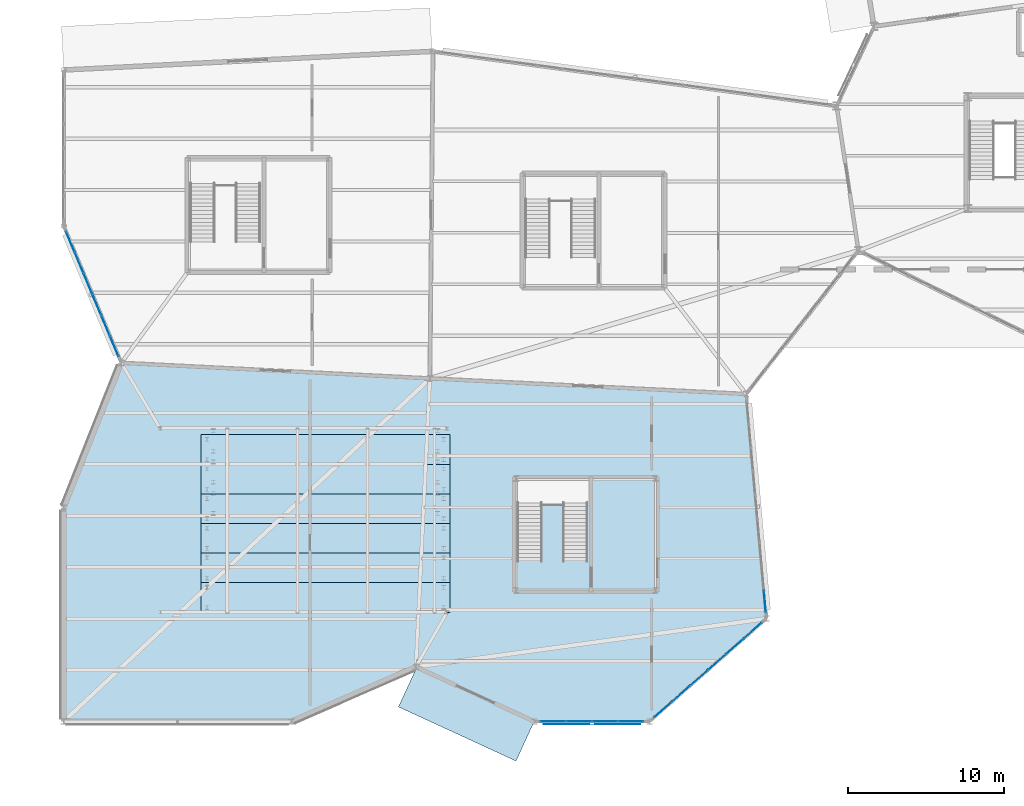
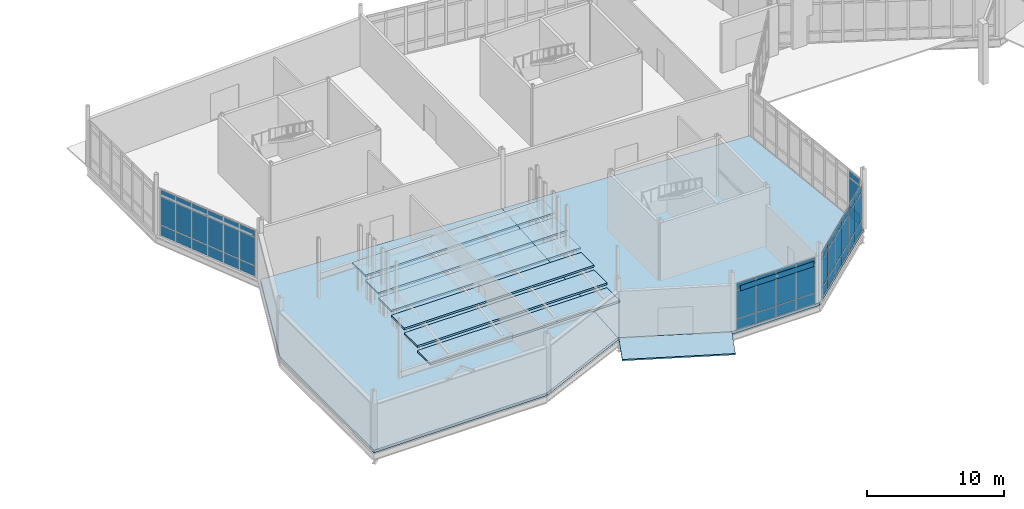
# One storey, part 68 of 113: 52 plates, 9 slabs, 4 elements without a shape of their own.
"""IFC4 building model written with IfcOpenShell, lengths in metres."""

from ifc_helpers import new_model, si_unit, direction, frame, origin, origin_2d, place, context, subcontext, project, spatial, polyline, rectangle, outline, extrude, material, layer, layer_set, type_object, element, aggregate, save


model = new_model("IFC4")

# Units and contexts
model_context = context("Model", 3, precision=1e-05, world=origin(), true_north=direction((0.0, 1.0)))
body_context = subcontext(model_context, "Body", "Model", "MODEL_VIEW")
ifc_project = project(units=[si_unit("LENGTHUNIT", "METRE"), si_unit("AREAUNIT", "SQUARE_METRE"), si_unit("VOLUMEUNIT", "CUBIC_METRE"), si_unit("PLANEANGLEUNIT", "RADIAN"), si_unit("MASSUNIT", "GRAM", prefix="KILO")], contexts=[model_context])

# Site, building, storey
site_placement = place(None, origin())
site = spatial("IfcSite", under=ifc_project, at=site_placement, CompositionType="ELEMENT")
building_placement = place(site_placement, origin())
building = spatial("IfcBuilding", under=site, at=building_placement, Name="Tameran Prism Museum", CompositionType="ELEMENT")
storey_placement = place(building_placement, origin())
storey = spatial("IfcBuildingStorey", under=building, at=storey_placement, Name="L00", CompositionType="ELEMENT", Elevation=0.0)

# Curtain wall, plates
ifc_material_1 = material(Name="Anodised Aluminium 6063-T6 and Cyclone Solar Glass", Category="aluminium")
curtain_wall_type_1 = type_object("IfcCurtainWallType", Name="CW-FAC-670x422", PredefinedType="USERDEFINED", material=ifc_material_1)
curtain_wall_1_placement = place(storey_placement, origin())
curtain_wall_1 = element("IfcCurtainWall", 1, at=curtain_wall_1_placement, inside=storey, type_object=curtain_wall_type_1, Name="Unitised Curtain Wall CW-043", ObjectType="UNITISED CURTAIN WALL", PredefinedType="USERDEFINED")
ifc_material_2 = material(Name="Low-E Laminated Solar Glass", Category="glass")
ifc_layer_1 = layer(ifc_material_2, 0.028076171875)
ifc_layer_set_1 = layer_set([ifc_layer_1])
plate_type_1 = type_object("IfcPlateType", Name="CW-PNL-G28", PredefinedType="CURTAIN_PANEL", material=ifc_layer_set_1)
plate_1_placement = place(storey_placement, frame((36.396240234375, 0.0, 0.06494140625), z_axis=(0.0, 0.0, 1.0), x_axis=(-1.0, 0.0, 0.0)))
plate_1 = element("IfcPlate", 2, at=plate_1_placement, type_object=plate_type_1, Name="CW-043 panel 1.1", PredefinedType="CURTAIN_PANEL", context=body_context, shape_type="SweptSolid", body=[
    extrude(rectangle(XDim=1.577392578125, YDim=0.028076171875, at=origin_2d()), origin(), (0.0, 0.0, 1.0), 0.902587890625),
])
plate_2_placement = place(storey_placement, frame((36.396240234375, 0.0, 1.032470703125), z_axis=(0.0, 0.0, 1.0), x_axis=(-1.0, 0.0, 0.0)))
plate_2 = element("IfcPlate", 3, at=plate_2_placement, type_object=plate_type_1, Name="CW-043 panel 1.2", PredefinedType="CURTAIN_PANEL", context=body_context, shape_type="SweptSolid", body=[
    extrude(rectangle(XDim=1.577392578125, YDim=0.028076171875, at=origin_2d()), origin(), (0.0, 0.0, 1.0), 2.47509765625),
])
plate_3_placement = place(storey_placement, frame((36.396240234375, 0.0, 3.572509765625), z_axis=(0.0, 0.0, 1.0), x_axis=(-1.0, 0.0, 0.0)))
plate_3 = element("IfcPlate", 4, at=plate_3_placement, type_object=plate_type_1, Name="CW-043 panel 1.3", PredefinedType="CURTAIN_PANEL", context=body_context, shape_type="SweptSolid", body=[
    extrude(rectangle(XDim=1.577392578125, YDim=0.028076171875, at=origin_2d()), origin(), (0.0, 0.0, 1.0), 0.58251953125),
])
plate_4_placement = place(storey_placement, frame((34.737548828125, 0.0, 0.06494140625), z_axis=(0.0, 0.0, 1.0), x_axis=(-1.0, 0.0, 0.0)))
plate_4 = element("IfcPlate", 5, at=plate_4_placement, type_object=plate_type_1, Name="CW-043 panel 2.1", PredefinedType="CURTAIN_PANEL", context=body_context, shape_type="SweptSolid", body=[
    extrude(rectangle(XDim=1.610107421875, YDim=0.028076171875, at=origin_2d()), origin(), (0.0, 0.0, 1.0), 0.902587890625),
])
plate_5_placement = place(storey_placement, frame((34.737548828125, 0.0, 1.032470703125), z_axis=(0.0, 0.0, 1.0), x_axis=(-1.0, 0.0, 0.0)))
plate_5 = element("IfcPlate", 6, at=plate_5_placement, type_object=plate_type_1, Name="CW-043 panel 2.2", PredefinedType="CURTAIN_PANEL", context=body_context, shape_type="SweptSolid", body=[
    extrude(rectangle(XDim=1.610107421875, YDim=0.028076171875, at=origin_2d()), origin(), (0.0, 0.0, 1.0), 2.47509765625),
])
plate_6_placement = place(storey_placement, frame((34.737548828125, 0.0, 3.572509765625), z_axis=(0.0, 0.0, 1.0), x_axis=(-1.0, 0.0, 0.0)))
plate_6 = element("IfcPlate", 7, at=plate_6_placement, type_object=plate_type_1, Name="CW-043 panel 2.3", PredefinedType="CURTAIN_PANEL", context=body_context, shape_type="SweptSolid", body=[
    extrude(rectangle(XDim=1.610107421875, YDim=0.028076171875, at=origin_2d()), origin(), (0.0, 0.0, 1.0), 0.58251953125),
])
plate_7_placement = place(storey_placement, frame((33.0625, 0.0, 0.06494140625), z_axis=(0.0, 0.0, 1.0), x_axis=(-1.0, 0.0, 0.0)))
plate_7 = element("IfcPlate", 8, at=plate_7_placement, type_object=plate_type_1, Name="CW-043 panel 3.1", PredefinedType="CURTAIN_PANEL", context=body_context, shape_type="SweptSolid", body=[
    extrude(rectangle(XDim=1.610107421875, YDim=0.028076171875, at=origin_2d()), origin(), (0.0, 0.0, 1.0), 0.902587890625),
])
plate_8_placement = place(storey_placement, frame((33.0625, 0.0, 1.032470703125), z_axis=(0.0, 0.0, 1.0), x_axis=(-1.0, 0.0, 0.0)))
plate_8 = element("IfcPlate", 9, at=plate_8_placement, type_object=plate_type_1, Name="CW-043 panel 3.2", PredefinedType="CURTAIN_PANEL", context=body_context, shape_type="SweptSolid", body=[
    extrude(rectangle(XDim=1.610107421875, YDim=0.028076171875, at=origin_2d()), origin(), (0.0, 0.0, 1.0), 2.47509765625),
])
plate_9_placement = place(storey_placement, frame((33.0625, 0.0, 3.572509765625), z_axis=(0.0, 0.0, 1.0), x_axis=(-1.0, 0.0, 0.0)))
plate_9 = element("IfcPlate", 10, at=plate_9_placement, type_object=plate_type_1, Name="CW-043 panel 3.3", PredefinedType="CURTAIN_PANEL", context=body_context, shape_type="SweptSolid", body=[
    extrude(rectangle(XDim=1.610107421875, YDim=0.028076171875, at=origin_2d()), origin(), (0.0, 0.0, 1.0), 0.58251953125),
])
plate_10_placement = place(storey_placement, frame((31.40380859375, 0.0, 0.06494140625), z_axis=(0.0, 0.0, 1.0), x_axis=(-1.0, 0.0, 0.0)))
plate_10 = element("IfcPlate", 11, at=plate_10_placement, type_object=plate_type_1, Name="CW-043 panel 4.1", PredefinedType="CURTAIN_PANEL", context=body_context, shape_type="SweptSolid", body=[
    extrude(rectangle(XDim=1.577392578125, YDim=0.028076171875, at=origin_2d()), origin(), (0.0, 0.0, 1.0), 0.902587890625),
])
plate_11_placement = place(storey_placement, frame((31.40380859375, 0.0, 1.032470703125), z_axis=(0.0, 0.0, 1.0), x_axis=(-1.0, 0.0, 0.0)))
plate_11 = element("IfcPlate", 12, at=plate_11_placement, type_object=plate_type_1, Name="CW-043 panel 4.2", PredefinedType="CURTAIN_PANEL", context=body_context, shape_type="SweptSolid", body=[
    extrude(rectangle(XDim=1.577392578125, YDim=0.028076171875, at=origin_2d()), origin(), (0.0, 0.0, 1.0), 2.47509765625),
])
plate_12_placement = place(storey_placement, frame((31.40380859375, 0.0, 3.572509765625), z_axis=(0.0, 0.0, 1.0), x_axis=(-1.0, 0.0, 0.0)))
plate_12 = element("IfcPlate", 13, at=plate_12_placement, type_object=plate_type_1, Name="CW-043 panel 4.3", PredefinedType="CURTAIN_PANEL", context=body_context, shape_type="SweptSolid", body=[
    extrude(rectangle(XDim=1.577392578125, YDim=0.028076171875, at=origin_2d()), origin(), (0.0, 0.0, 1.0), 0.58251953125),
])
aggregate(curtain_wall_1, [plate_1, plate_2, plate_3, plate_4, plate_5, plate_6, plate_7, plate_8, plate_9, plate_10, plate_11, plate_12])

ifc_material_3 = material(Name="Anodised Aluminium 6063-T6 and Cyclone Solar Glass", Category="aluminium")
curtain_wall_type_2 = type_object("IfcCurtainWallType", Name="CW-FAC-929x422", PredefinedType="USERDEFINED", material=ifc_material_3)
curtain_wall_2_placement = place(storey_placement, origin())
curtain_wall_2 = element("IfcCurtainWall", 14, at=curtain_wall_2_placement, inside=storey, type_object=curtain_wall_type_2, Name="Unitised Curtain Wall CW-044", ObjectType="UNITISED CURTAIN WALL", PredefinedType="USERDEFINED")
plate_13_placement = place(storey_placement, frame((44.24267578125, 5.845947265625, 0.070068359375), z_axis=(0.0, 0.0, 1.0), x_axis=(-0.750666538716, -0.660681275391, 0.0)))
plate_13 = element("IfcPlate", 15, at=plate_13_placement, type_object=plate_type_1, Name="CW-044 panel 1.1", PredefinedType="CURTAIN_PANEL", context=body_context, shape_type="SweptSolid", body=[
    extrude(rectangle(XDim=1.443359375, YDim=0.028076171875, at=origin_2d()), origin(), (0.0, 0.0, 1.0), 0.89501953125),
])
plate_14_placement = place(storey_placement, frame((44.24267578125, 5.845947265625, 1.03515625), z_axis=(0.0, 0.0, 1.0), x_axis=(-0.750666538716, -0.660681275391, 0.0)))
plate_14 = element("IfcPlate", 16, at=plate_14_placement, type_object=plate_type_1, Name="CW-044 panel 1.2", PredefinedType="CURTAIN_PANEL", context=body_context, shape_type="SweptSolid", body=[
    extrude(rectangle(XDim=1.443359375, YDim=0.028076171875, at=origin_2d()), origin(), (0.0, 0.0, 1.0), 2.469970703125),
])
plate_15_placement = place(storey_placement, frame((44.24267578125, 5.845947265625, 3.5751953125), z_axis=(0.0, 0.0, 1.0), x_axis=(-0.750666538716, -0.660681275391, 0.0)))
plate_15 = element("IfcPlate", 17, at=plate_15_placement, type_object=plate_type_1, Name="CW-044 panel 1.3", PredefinedType="CURTAIN_PANEL", context=body_context, shape_type="SweptSolid", body=[
    extrude(rectangle(XDim=1.443359375, YDim=0.028076171875, at=origin_2d()), origin(), (0.0, 0.0, 1.0), 0.574951171875),
])
plate_16_placement = place(storey_placement, frame((43.093505859375, 4.83447265625, 0.070068359375), z_axis=(0.0, 0.0, 1.0), x_axis=(-0.750666538716, -0.660681275391, 0.0)))
plate_16 = element("IfcPlate", 18, at=plate_16_placement, type_object=plate_type_1, Name="CW-044 panel 2.1", PredefinedType="CURTAIN_PANEL", context=body_context, shape_type="SweptSolid", body=[
    extrude(rectangle(XDim=1.478515625, YDim=0.028076171875, at=origin_2d()), origin(), (0.0, 0.0, 1.0), 0.89501953125),
])
plate_17_placement = place(storey_placement, frame((43.093505859375, 4.83447265625, 1.03515625), z_axis=(0.0, 0.0, 1.0), x_axis=(-0.750666538716, -0.660681275391, 0.0)))
plate_17 = element("IfcPlate", 19, at=plate_17_placement, type_object=plate_type_1, Name="CW-044 panel 2.2", PredefinedType="CURTAIN_PANEL", context=body_context, shape_type="SweptSolid", body=[
    extrude(rectangle(XDim=1.478515625, YDim=0.028076171875, at=origin_2d()), origin(), (0.0, 0.0, 1.0), 2.469970703125),
])
plate_18_placement = place(storey_placement, frame((43.093505859375, 4.83447265625, 3.5751953125), z_axis=(0.0, 0.0, 1.0), x_axis=(-0.750666538716, -0.660681275391, 0.0)))
plate_18 = element("IfcPlate", 20, at=plate_18_placement, type_object=plate_type_1, Name="CW-044 panel 2.3", PredefinedType="CURTAIN_PANEL", context=body_context, shape_type="SweptSolid", body=[
    extrude(rectangle(XDim=1.478515625, YDim=0.028076171875, at=origin_2d()), origin(), (0.0, 0.0, 1.0), 0.574951171875),
])
plate_19_placement = place(storey_placement, frame((41.93115234375, 3.8115234375, 0.070068359375), z_axis=(0.0, 0.0, 1.0), x_axis=(-0.750666538716, -0.660681275391, 0.0)))
plate_19 = element("IfcPlate", 21, at=plate_19_placement, type_object=plate_type_1, Name="CW-044 panel 3.1", PredefinedType="CURTAIN_PANEL", context=body_context, shape_type="SweptSolid", body=[
    extrude(rectangle(XDim=1.478515625, YDim=0.028076171875, at=origin_2d()), origin(), (0.0, 0.0, 1.0), 0.89501953125),
])
plate_20_placement = place(storey_placement, frame((41.93115234375, 3.8115234375, 1.03515625), z_axis=(0.0, 0.0, 1.0), x_axis=(-0.750666538716, -0.660681275391, 0.0)))
plate_20 = element("IfcPlate", 22, at=plate_20_placement, type_object=plate_type_1, Name="CW-044 panel 3.2", PredefinedType="CURTAIN_PANEL", context=body_context, shape_type="SweptSolid", body=[
    extrude(rectangle(XDim=1.478515625, YDim=0.028076171875, at=origin_2d()), origin(), (0.0, 0.0, 1.0), 2.469970703125),
])
plate_21_placement = place(storey_placement, frame((41.93115234375, 3.8115234375, 3.5751953125), z_axis=(0.0, 0.0, 1.0), x_axis=(-0.750666538716, -0.660681275391, 0.0)))
plate_21 = element("IfcPlate", 23, at=plate_21_placement, type_object=plate_type_1, Name="CW-044 panel 3.3", PredefinedType="CURTAIN_PANEL", context=body_context, shape_type="SweptSolid", body=[
    extrude(rectangle(XDim=1.478515625, YDim=0.028076171875, at=origin_2d()), origin(), (0.0, 0.0, 1.0), 0.574951171875),
])
plate_22_placement = place(storey_placement, frame((40.768798828125, 2.78857421875, 0.070068359375), z_axis=(0.0, 0.0, 1.0), x_axis=(-0.750666538716, -0.660681275391, 0.0)))
plate_22 = element("IfcPlate", 24, at=plate_22_placement, type_object=plate_type_1, Name="CW-044 panel 4.1", PredefinedType="CURTAIN_PANEL", context=body_context, shape_type="SweptSolid", body=[
    extrude(rectangle(XDim=1.478515625, YDim=0.028076171875, at=origin_2d()), origin(), (0.0, 0.0, 1.0), 0.89501953125),
])
plate_23_placement = place(storey_placement, frame((40.768798828125, 2.78857421875, 1.03515625), z_axis=(0.0, 0.0, 1.0), x_axis=(-0.750666538716, -0.660681275391, 0.0)))
plate_23 = element("IfcPlate", 25, at=plate_23_placement, type_object=plate_type_1, Name="CW-044 panel 4.2", PredefinedType="CURTAIN_PANEL", context=body_context, shape_type="SweptSolid", body=[
    extrude(rectangle(XDim=1.478515625, YDim=0.028076171875, at=origin_2d()), origin(), (0.0, 0.0, 1.0), 2.469970703125),
])
plate_24_placement = place(storey_placement, frame((40.768798828125, 2.78857421875, 3.5751953125), z_axis=(0.0, 0.0, 1.0), x_axis=(-0.750666538716, -0.660681275391, 0.0)))
plate_24 = element("IfcPlate", 26, at=plate_24_placement, type_object=plate_type_1, Name="CW-044 panel 4.3", PredefinedType="CURTAIN_PANEL", context=body_context, shape_type="SweptSolid", body=[
    extrude(rectangle(XDim=1.478515625, YDim=0.028076171875, at=origin_2d()), origin(), (0.0, 0.0, 1.0), 0.574951171875),
])
plate_25_placement = place(storey_placement, frame((39.6064453125, 1.765380859375, 0.070068359375), z_axis=(0.0, 0.0, 1.0), x_axis=(-0.750666538716, -0.660681275391, 0.0)))
plate_25 = element("IfcPlate", 27, at=plate_25_placement, type_object=plate_type_1, Name="CW-044 panel 5.1", PredefinedType="CURTAIN_PANEL", context=body_context, shape_type="SweptSolid", body=[
    extrude(rectangle(XDim=1.478515625, YDim=0.028076171875, at=origin_2d()), origin(), (0.0, 0.0, 1.0), 0.89501953125),
])
plate_26_placement = place(storey_placement, frame((39.6064453125, 1.765380859375, 1.03515625), z_axis=(0.0, 0.0, 1.0), x_axis=(-0.750666538716, -0.660681275391, 0.0)))
plate_26 = element("IfcPlate", 28, at=plate_26_placement, type_object=plate_type_1, Name="CW-044 panel 5.2", PredefinedType="CURTAIN_PANEL", context=body_context, shape_type="SweptSolid", body=[
    extrude(rectangle(XDim=1.478515625, YDim=0.028076171875, at=origin_2d()), origin(), (0.0, 0.0, 1.0), 2.469970703125),
])
plate_27_placement = place(storey_placement, frame((39.6064453125, 1.765380859375, 3.5751953125), z_axis=(0.0, 0.0, 1.0), x_axis=(-0.750666538716, -0.660681275391, 0.0)))
plate_27 = element("IfcPlate", 29, at=plate_27_placement, type_object=plate_type_1, Name="CW-044 panel 5.3", PredefinedType="CURTAIN_PANEL", context=body_context, shape_type="SweptSolid", body=[
    extrude(rectangle(XDim=1.478515625, YDim=0.028076171875, at=origin_2d()), origin(), (0.0, 0.0, 1.0), 0.574951171875),
])
plate_28_placement = place(storey_placement, frame((38.457275390625, 0.754150390625, 0.070068359375), z_axis=(0.0, 0.0, 1.0), x_axis=(-0.750666538716, -0.660681275391, 0.0)))
plate_28 = element("IfcPlate", 30, at=plate_28_placement, type_object=plate_type_1, Name="CW-044 panel 6.1", PredefinedType="CURTAIN_PANEL", context=body_context, shape_type="SweptSolid", body=[
    extrude(rectangle(XDim=1.443359375, YDim=0.028076171875, at=origin_2d()), origin(), (0.0, 0.0, 1.0), 0.89501953125),
])
plate_29_placement = place(storey_placement, frame((38.457275390625, 0.754150390625, 1.03515625), z_axis=(0.0, 0.0, 1.0), x_axis=(-0.750666538716, -0.660681275391, 0.0)))
plate_29 = element("IfcPlate", 31, at=plate_29_placement, type_object=plate_type_1, Name="CW-044 panel 6.2", PredefinedType="CURTAIN_PANEL", context=body_context, shape_type="SweptSolid", body=[
    extrude(rectangle(XDim=1.443359375, YDim=0.028076171875, at=origin_2d()), origin(), (0.0, 0.0, 1.0), 2.469970703125),
])
plate_30_placement = place(storey_placement, frame((38.457275390625, 0.754150390625, 3.5751953125), z_axis=(0.0, 0.0, 1.0), x_axis=(-0.750666538716, -0.660681275391, 0.0)))
plate_30 = element("IfcPlate", 32, at=plate_30_placement, type_object=plate_type_1, Name="CW-044 panel 6.3", PredefinedType="CURTAIN_PANEL", context=body_context, shape_type="SweptSolid", body=[
    extrude(rectangle(XDim=1.443359375, YDim=0.028076171875, at=origin_2d()), origin(), (0.0, 0.0, 1.0), 0.574951171875),
])
aggregate(curtain_wall_2, [plate_13, plate_14, plate_15, plate_16, plate_17, plate_18, plate_19, plate_20, plate_21, plate_22, plate_23, plate_24, plate_25, plate_26, plate_27, plate_28, plate_29, plate_30])

ifc_material_4 = material(Name="Anodised Aluminium 6063-T6 and Cyclone Solar Glass", Category="aluminium")
curtain_wall_type_3 = type_object("IfcCurtainWallType", Name="CW-FAC-1370x422", PredefinedType="USERDEFINED", material=ifc_material_4)
curtain_wall_3_placement = place(storey_placement, origin())
curtain_wall_3 = element("IfcCurtainWall", 33, at=curtain_wall_3_placement, inside=storey, type_object=curtain_wall_type_3, Name="Unitised Curtain Wall CW-045", ObjectType="UNITISED CURTAIN WALL", PredefinedType="USERDEFINED")
plate_31_placement = place(storey_placement, frame((44.998779296875, 7.7255859375, 0.0751953125), z_axis=(0.0, 0.0, 1.0), x_axis=(0.090015719474, -0.995940344723, 0.0)))
plate_31 = element("IfcPlate", 34, at=plate_31_placement, type_object=plate_type_1, Name="CW-045 panel 9.1", PredefinedType="CURTAIN_PANEL", context=body_context, shape_type="SweptSolid", body=[
    extrude(rectangle(XDim=1.409423828125, YDim=0.028076171875, at=origin_2d()), origin(), (0.0, 0.0, 1.0), 0.887451171875),
])
plate_32_placement = place(storey_placement, frame((44.998779296875, 7.7255859375, 1.03759765625), z_axis=(0.0, 0.0, 1.0), x_axis=(0.090015719474, -0.995940344723, 0.0)))
plate_32 = element("IfcPlate", 35, at=plate_32_placement, type_object=plate_type_1, Name="CW-045 panel 9.2", PredefinedType="CURTAIN_PANEL", context=body_context, shape_type="SweptSolid", body=[
    extrude(rectangle(XDim=1.409423828125, YDim=0.028076171875, at=origin_2d()), origin(), (0.0, 0.0, 1.0), 2.465087890625),
])
plate_33_placement = place(storey_placement, frame((44.998779296875, 7.7255859375, 3.57763671875), z_axis=(0.0, 0.0, 1.0), x_axis=(0.090015719474, -0.995940344723, 0.0)))
plate_33 = element("IfcPlate", 36, at=plate_33_placement, type_object=plate_type_1, Name="CW-045 panel 9.3", PredefinedType="CURTAIN_PANEL", context=body_context, shape_type="SweptSolid", body=[
    extrude(rectangle(XDim=1.409423828125, YDim=0.028076171875, at=origin_2d()), origin(), (0.0, 0.0, 1.0), 0.5673828125),
])
aggregate(curtain_wall_3, [plate_31, plate_32, plate_33])

ifc_material_5 = material(Name="Anodised Aluminium 6063-T6 and Cyclone Solar Glass", Category="aluminium")
curtain_wall_type_4 = type_object("IfcCurtainWallType", Name="CW-FAC-879x422", PredefinedType="USERDEFINED", material=ifc_material_5)
curtain_wall_4_placement = place(storey_placement, origin())
curtain_wall_4 = element("IfcCurtainWall", 37, at=curtain_wall_4_placement, inside=storey, type_object=curtain_wall_type_4, Name="Unitised Curtain Wall CW-047", ObjectType="UNITISED CURTAIN WALL", PredefinedType="USERDEFINED")
ifc_material_6 = material(Name="Cyclone Laminated Solar Glass", Category="glass")
ifc_layer_2 = layer(ifc_material_6, 0.031982421875)
ifc_layer_set_2 = layer_set([ifc_layer_2])
plate_type_2 = type_object("IfcPlateType", Name="CW-PNL-G32", PredefinedType="CURTAIN_PANEL", material=ifc_layer_set_2)
plate_34_placement = place(storey_placement, frame((3.2509765625, 24.06787109375, 0.06494140625), z_axis=(0.0, 0.0, 1.0), x_axis=(-0.387563359353, 0.921843068253, 0.0)))
plate_34 = element("IfcPlate", 38, at=plate_34_placement, type_object=plate_type_2, Name="CW-047 panel 1.1", PredefinedType="CURTAIN_PANEL", context=body_context, shape_type="SweptSolid", body=[
    extrude(rectangle(XDim=1.36669921875, YDim=0.031982421875, at=origin_2d()), origin(), (0.0, 0.0, 1.0), 0.902587890625),
])
plate_35_placement = place(storey_placement, frame((3.2509765625, 24.06787109375, 1.032470703125), z_axis=(0.0, 0.0, 1.0), x_axis=(-0.387563359353, 0.921843068253, 0.0)))
plate_35 = element("IfcPlate", 39, at=plate_35_placement, type_object=plate_type_2, Name="CW-047 panel 1.2", PredefinedType="CURTAIN_PANEL", context=body_context, shape_type="SweptSolid", body=[
    extrude(rectangle(XDim=1.36669921875, YDim=0.031982421875, at=origin_2d()), origin(), (0.0, 0.0, 1.0), 2.47509765625),
])
plate_36_placement = place(storey_placement, frame((3.2509765625, 24.06787109375, 3.572509765625), z_axis=(0.0, 0.0, 1.0), x_axis=(-0.387563359353, 0.921843068253, 0.0)))
plate_36 = element("IfcPlate", 40, at=plate_36_placement, type_object=plate_type_2, Name="CW-047 panel 1.3", PredefinedType="CURTAIN_PANEL", context=body_context, shape_type="SweptSolid", body=[
    extrude(rectangle(XDim=1.36669921875, YDim=0.031982421875, at=origin_2d()), origin(), (0.0, 0.0, 1.0), 0.58251953125),
])
plate_37_placement = place(storey_placement, frame((2.689697265625, 25.40283203125, 0.06494140625), z_axis=(0.0, 0.0, 1.0), x_axis=(-0.387563359353, 0.921843068253, 0.0)))
plate_37 = element("IfcPlate", 41, at=plate_37_placement, type_object=plate_type_2, Name="CW-047 panel 2.1", PredefinedType="CURTAIN_PANEL", context=body_context, shape_type="SweptSolid", body=[
    extrude(rectangle(XDim=1.399169921875, YDim=0.031982421875, at=origin_2d()), origin(), (0.0, 0.0, 1.0), 0.902587890625),
])
plate_38_placement = place(storey_placement, frame((2.689697265625, 25.40283203125, 1.032470703125), z_axis=(0.0, 0.0, 1.0), x_axis=(-0.387563359353, 0.921843068253, 0.0)))
plate_38 = element("IfcPlate", 42, at=plate_38_placement, type_object=plate_type_2, Name="CW-047 panel 2.2", PredefinedType="CURTAIN_PANEL", context=body_context, shape_type="SweptSolid", body=[
    extrude(rectangle(XDim=1.399169921875, YDim=0.031982421875, at=origin_2d()), origin(), (0.0, 0.0, 1.0), 2.47509765625),
])
plate_39_placement = place(storey_placement, frame((2.689697265625, 25.40283203125, 3.572509765625), z_axis=(0.0, 0.0, 1.0), x_axis=(-0.387563359353, 0.921843068253, 0.0)))
plate_39 = element("IfcPlate", 43, at=plate_39_placement, type_object=plate_type_2, Name="CW-047 panel 2.3", PredefinedType="CURTAIN_PANEL", context=body_context, shape_type="SweptSolid", body=[
    extrude(rectangle(XDim=1.399169921875, YDim=0.031982421875, at=origin_2d()), origin(), (0.0, 0.0, 1.0), 0.58251953125),
])
plate_40_placement = place(storey_placement, frame((2.122314453125, 26.752685546875, 0.06494140625), z_axis=(0.0, 0.0, 1.0), x_axis=(-0.387563359353, 0.921843068253, 0.0)))
plate_40 = element("IfcPlate", 44, at=plate_40_placement, type_object=plate_type_2, Name="CW-047 panel 3.1", PredefinedType="CURTAIN_PANEL", context=body_context, shape_type="SweptSolid", body=[
    extrude(rectangle(XDim=1.399169921875, YDim=0.031982421875, at=origin_2d()), origin(), (0.0, 0.0, 1.0), 0.902587890625),
])
plate_41_placement = place(storey_placement, frame((2.122314453125, 26.752685546875, 1.032470703125), z_axis=(0.0, 0.0, 1.0), x_axis=(-0.387563359353, 0.921843068253, 0.0)))
plate_41 = element("IfcPlate", 45, at=plate_41_placement, type_object=plate_type_2, Name="CW-047 panel 3.2", PredefinedType="CURTAIN_PANEL", context=body_context, shape_type="SweptSolid", body=[
    extrude(rectangle(XDim=1.399169921875, YDim=0.031982421875, at=origin_2d()), origin(), (0.0, 0.0, 1.0), 2.47509765625),
])
plate_42_placement = place(storey_placement, frame((2.122314453125, 26.752685546875, 3.572509765625), z_axis=(0.0, 0.0, 1.0), x_axis=(-0.387563359353, 0.921843068253, 0.0)))
plate_42 = element("IfcPlate", 46, at=plate_42_placement, type_object=plate_type_2, Name="CW-047 panel 3.3", PredefinedType="CURTAIN_PANEL", context=body_context, shape_type="SweptSolid", body=[
    extrude(rectangle(XDim=1.399169921875, YDim=0.031982421875, at=origin_2d()), origin(), (0.0, 0.0, 1.0), 0.58251953125),
])
plate_43_placement = place(storey_placement, frame((1.5546875, 28.102294921875, 0.06494140625), z_axis=(0.0, 0.0, 1.0), x_axis=(-0.387563359353, 0.921843068253, 0.0)))
plate_43 = element("IfcPlate", 47, at=plate_43_placement, type_object=plate_type_2, Name="CW-047 panel 4.1", PredefinedType="CURTAIN_PANEL", context=body_context, shape_type="SweptSolid", body=[
    extrude(rectangle(XDim=1.399169921875, YDim=0.031982421875, at=origin_2d()), origin(), (0.0, 0.0, 1.0), 0.902587890625),
])
plate_44_placement = place(storey_placement, frame((1.5546875, 28.102294921875, 1.032470703125), z_axis=(0.0, 0.0, 1.0), x_axis=(-0.387563359353, 0.921843068253, 0.0)))
plate_44 = element("IfcPlate", 48, at=plate_44_placement, type_object=plate_type_2, Name="CW-047 panel 4.2", PredefinedType="CURTAIN_PANEL", context=body_context, shape_type="SweptSolid", body=[
    extrude(rectangle(XDim=1.399169921875, YDim=0.031982421875, at=origin_2d()), origin(), (0.0, 0.0, 1.0), 2.47509765625),
])
plate_45_placement = place(storey_placement, frame((1.5546875, 28.102294921875, 3.572509765625), z_axis=(0.0, 0.0, 1.0), x_axis=(-0.387563359353, 0.921843068253, 0.0)))
plate_45 = element("IfcPlate", 49, at=plate_45_placement, type_object=plate_type_2, Name="CW-047 panel 4.3", PredefinedType="CURTAIN_PANEL", context=body_context, shape_type="SweptSolid", body=[
    extrude(rectangle(XDim=1.399169921875, YDim=0.031982421875, at=origin_2d()), origin(), (0.0, 0.0, 1.0), 0.58251953125),
])
plate_46_placement = place(storey_placement, frame((0.9873046875, 29.4521484375, 0.06494140625), z_axis=(0.0, 0.0, 1.0), x_axis=(-0.387563359353, 0.921843068253, 0.0)))
plate_46 = element("IfcPlate", 50, at=plate_46_placement, type_object=plate_type_2, Name="CW-047 panel 5.1", PredefinedType="CURTAIN_PANEL", context=body_context, shape_type="SweptSolid", body=[
    extrude(rectangle(XDim=1.399169921875, YDim=0.031982421875, at=origin_2d()), origin(), (0.0, 0.0, 1.0), 0.902587890625),
])
plate_47_placement = place(storey_placement, frame((0.9873046875, 29.4521484375, 1.032470703125), z_axis=(0.0, 0.0, 1.0), x_axis=(-0.387563359353, 0.921843068253, 0.0)))
plate_47 = element("IfcPlate", 51, at=plate_47_placement, type_object=plate_type_2, Name="CW-047 panel 5.2", PredefinedType="CURTAIN_PANEL", context=body_context, shape_type="SweptSolid", body=[
    extrude(rectangle(XDim=1.399169921875, YDim=0.031982421875, at=origin_2d()), origin(), (0.0, 0.0, 1.0), 2.47509765625),
])
plate_48_placement = place(storey_placement, frame((0.9873046875, 29.4521484375, 3.572509765625), z_axis=(0.0, 0.0, 1.0), x_axis=(-0.387563359353, 0.921843068253, 0.0)))
plate_48 = element("IfcPlate", 52, at=plate_48_placement, type_object=plate_type_2, Name="CW-047 panel 5.3", PredefinedType="CURTAIN_PANEL", context=body_context, shape_type="SweptSolid", body=[
    extrude(rectangle(XDim=1.399169921875, YDim=0.031982421875, at=origin_2d()), origin(), (0.0, 0.0, 1.0), 0.58251953125),
])
plate_49_placement = place(storey_placement, frame((0.426025390625, 30.787109375, 0.06494140625), z_axis=(0.0, 0.0, 1.0), x_axis=(-0.387563359353, 0.921843068253, 0.0)))
plate_49 = element("IfcPlate", 53, at=plate_49_placement, type_object=plate_type_2, Name="CW-047 panel 6.1", PredefinedType="CURTAIN_PANEL", context=body_context, shape_type="SweptSolid", body=[
    extrude(rectangle(XDim=1.36669921875, YDim=0.031982421875, at=origin_2d()), origin(), (0.0, 0.0, 1.0), 0.902587890625),
])
plate_50_placement = place(storey_placement, frame((0.426025390625, 30.787109375, 1.032470703125), z_axis=(0.0, 0.0, 1.0), x_axis=(-0.387563359353, 0.921843068253, 0.0)))
plate_50 = element("IfcPlate", 54, at=plate_50_placement, type_object=plate_type_2, Name="CW-047 panel 6.2", PredefinedType="CURTAIN_PANEL", context=body_context, shape_type="SweptSolid", body=[
    extrude(rectangle(XDim=1.36669921875, YDim=0.031982421875, at=origin_2d()), origin(), (0.0, 0.0, 1.0), 2.47509765625),
])
plate_51_placement = place(storey_placement, frame((0.426025390625, 30.787109375, 3.572509765625), z_axis=(0.0, 0.0, 1.0), x_axis=(-0.387563359353, 0.921843068253, 0.0)))
plate_51 = element("IfcPlate", 55, at=plate_51_placement, type_object=plate_type_2, Name="CW-047 panel 6.3", PredefinedType="CURTAIN_PANEL", context=body_context, shape_type="SweptSolid", body=[
    extrude(rectangle(XDim=1.36669921875, YDim=0.031982421875, at=origin_2d()), origin(), (0.0, 0.0, 1.0), 0.58251953125),
])
aggregate(curtain_wall_4, [plate_34, plate_35, plate_36, plate_37, plate_38, plate_39, plate_40, plate_41, plate_42, plate_43, plate_44, plate_45, plate_46, plate_47, plate_48, plate_49, plate_50, plate_51])

# Plate
ifc_material_7 = material(Name="Perforated Marine Aluminium Storm Screen", Category="aluminium")
ifc_layer_3 = layer(ifc_material_7, 0.011962890625)
ifc_layer_set_3 = layer_set([ifc_layer_3])
plate_type_3 = type_object("IfcPlateType", Name="CW-PNL-P12", PredefinedType="SHEET", material=ifc_layer_set_3)
plate_52_placement = place(storey_placement, frame((33.89990234375, -0.179931640625, 3.530029296875), z_axis=(0.0, 0.0, 1.0), x_axis=(-1.0, 0.0, 0.0)))
element("IfcPlate", 56, at=plate_52_placement, inside=storey, type_object=plate_type_3, Name="Cyclone Perforated Sun-Breaker SS-012", PredefinedType="SHEET", context=body_context, shape_type="SweptSolid", body=[
    extrude(rectangle(XDim=6.199951171875, YDim=0.02001953125, at=origin_2d()), origin(), (0.0, 0.0, 1.0), 0.47998046875),
])

# Slabs
ifc_material_8 = material(Name="Concrete N40 (40 MPa)", Category="concrete")
ifc_layer_4 = layer(ifc_material_8, 0.239990234375)
ifc_layer_set_4 = layer_set([ifc_layer_4])
slab_type_1 = type_object("IfcSlabType", Name="SL-FLR-240", PredefinedType="FLOOR", material=ifc_layer_set_4)
slab_1_placement = place(storey_placement, frame((0.0, 0.0, -0.239990234375)))
element("IfcSlab", 57, at=slab_1_placement, inside=storey, type_object=slab_type_1, Name="Floor Slab FS-P11-L00", PredefinedType="FLOOR", context=body_context, shape_type="SweptSolid", body=[
    extrude(outline(polyline([(23.5, 22.0), (3.699951171875, 23.0), (0.0, 13.699951171875), (0.0, 0.0), (14.60009765625, 0.0), (22.60009765625, 3.5), (23.5, 22.0)])), origin(), (0.0, 0.0, 1.0), 0.239990234375),
])
slab_2_placement = place(storey_placement, frame((0.0, 0.0, -0.239990234375)))
element("IfcSlab", 58, at=slab_2_placement, inside=storey, type_object=slab_type_1, Name="Floor Slab FS-P12-L00", PredefinedType="FLOOR", context=body_context, shape_type="SweptSolid", body=[
    extrude(outline(polyline([(22.60009765625, 3.5), (30.199951171875, 0.0), (37.60009765625, 0.0), (45.10009765625, 6.60009765625), (43.800048828125, 21.0), (23.5, 22.0), (22.60009765625, 3.5)])), origin(), (0.0, 0.0, 1.0), 0.239990234375),
])
ifc_material_9 = material(Name="Concrete N32 (32 MPa)", Category="concrete")
ifc_layer_5 = layer(ifc_material_9, 0.1201171875)
ifc_layer_set_5 = layer_set([ifc_layer_5])
slab_type_2 = type_object("IfcSlabType", Name="SL-PAV-120", PredefinedType="USERDEFINED", material=ifc_layer_set_5)
slab_3_placement = place(storey_placement, frame((0.0, 0.0, -0.1201171875)))
element("IfcSlab", 59, at=slab_3_placement, inside=storey, type_object=slab_type_2, Name="Exterior Forecourt Paving Slab AP-01", ObjectType="PAVING", PredefinedType="USERDEFINED", context=body_context, shape_type="SweptSolid", body=[
    extrude(outline(polyline([(22.654052734375, 3.47509765625), (30.199951171875, 0.0), (29.029052734375, -2.54296875), (21.48291015625, 0.931884765625), (22.654052734375, 3.47509765625)])), origin(), (0.0, 0.0, 1.0), 0.1201171875),
])
ifc_material_10 = material(Name="Concrete N32 (32 MPa)", Category="concrete")
ifc_layer_6 = layer(ifc_material_10, 0.1650390625)
ifc_layer_set_6 = layer_set([ifc_layer_6])
slab_type_3 = type_object("IfcSlabType", Name="SL-TIER-165", PredefinedType="USERDEFINED", material=ifc_layer_set_6)
slab_4_placement = place(storey_placement, frame((0.0, 0.0, 0.2548828125)))
element("IfcSlab", 60, at=slab_4_placement, inside=storey, type_object=slab_type_3, Name="Auditorium Seating Tier 1", ObjectType="SEATING TIER", PredefinedType="USERDEFINED", context=body_context, shape_type="SweptSolid", body=[
    extrude(outline(polyline([(8.800048828125, 7.0), (24.800048828125, 7.0), (24.800048828125, 8.89990234375), (8.800048828125, 8.89990234375), (8.800048828125, 7.0)])), origin(), (0.0, 0.0, 1.0), 0.1650390625),
])
slab_5_placement = place(storey_placement, frame((0.0, 0.0, 0.675048828125)))
element("IfcSlab", 61, at=slab_5_placement, inside=storey, type_object=slab_type_3, Name="Auditorium Seating Tier 2", ObjectType="SEATING TIER", PredefinedType="USERDEFINED", context=body_context, shape_type="SweptSolid", body=[
    extrude(outline(polyline([(8.800048828125, 8.89990234375), (24.800048828125, 8.89990234375), (24.800048828125, 10.800048828125), (8.800048828125, 10.800048828125), (8.800048828125, 8.89990234375)])), origin(), (0.0, 0.0, 1.0), 0.1650390625),
])
slab_6_placement = place(storey_placement, frame((0.0, 0.0, 1.094970703125)))
element("IfcSlab", 62, at=slab_6_placement, inside=storey, type_object=slab_type_3, Name="Auditorium Seating Tier 3", ObjectType="SEATING TIER", PredefinedType="USERDEFINED", context=body_context, shape_type="SweptSolid", body=[
    extrude(outline(polyline([(8.800048828125, 10.800048828125), (24.800048828125, 10.800048828125), (24.800048828125, 12.699951171875), (8.800048828125, 12.699951171875), (8.800048828125, 10.800048828125)])), origin(), (0.0, 0.0, 1.0), 0.1650390625),
])
slab_7_placement = place(storey_placement, frame((0.0, 0.0, 1.514892578125)))
element("IfcSlab", 63, at=slab_7_placement, inside=storey, type_object=slab_type_3, Name="Auditorium Seating Tier 4", ObjectType="SEATING TIER", PredefinedType="USERDEFINED", context=body_context, shape_type="SweptSolid", body=[
    extrude(outline(polyline([(8.800048828125, 12.699951171875), (24.800048828125, 12.699951171875), (24.800048828125, 14.60009765625), (8.800048828125, 14.60009765625), (8.800048828125, 12.699951171875)])), origin(), (0.0, 0.0, 1.0), 0.1650390625),
])
slab_8_placement = place(storey_placement, frame((0.0, 0.0, 1.93505859375)))
element("IfcSlab", 64, at=slab_8_placement, inside=storey, type_object=slab_type_3, Name="Auditorium Seating Tier 5", ObjectType="SEATING TIER", PredefinedType="USERDEFINED", context=body_context, shape_type="SweptSolid", body=[
    extrude(outline(polyline([(8.800048828125, 14.60009765625), (24.800048828125, 14.60009765625), (24.800048828125, 16.5), (8.800048828125, 16.5), (8.800048828125, 14.60009765625)])), origin(), (0.0, 0.0, 1.0), 0.1650390625),
])
slab_9_placement = place(storey_placement, frame((0.0, 0.0, 2.35498046875)))
element("IfcSlab", 65, at=slab_9_placement, inside=storey, type_object=slab_type_3, Name="Auditorium Seating Tier 6", ObjectType="SEATING TIER", PredefinedType="USERDEFINED", context=body_context, shape_type="SweptSolid", body=[
    extrude(outline(polyline([(8.800048828125, 16.5), (24.800048828125, 16.5), (24.800048828125, 18.39990234375), (8.800048828125, 18.39990234375), (8.800048828125, 16.5)])), origin(), (0.0, 0.0, 1.0), 0.1650390625),
])

save(model, "model.ifc")
